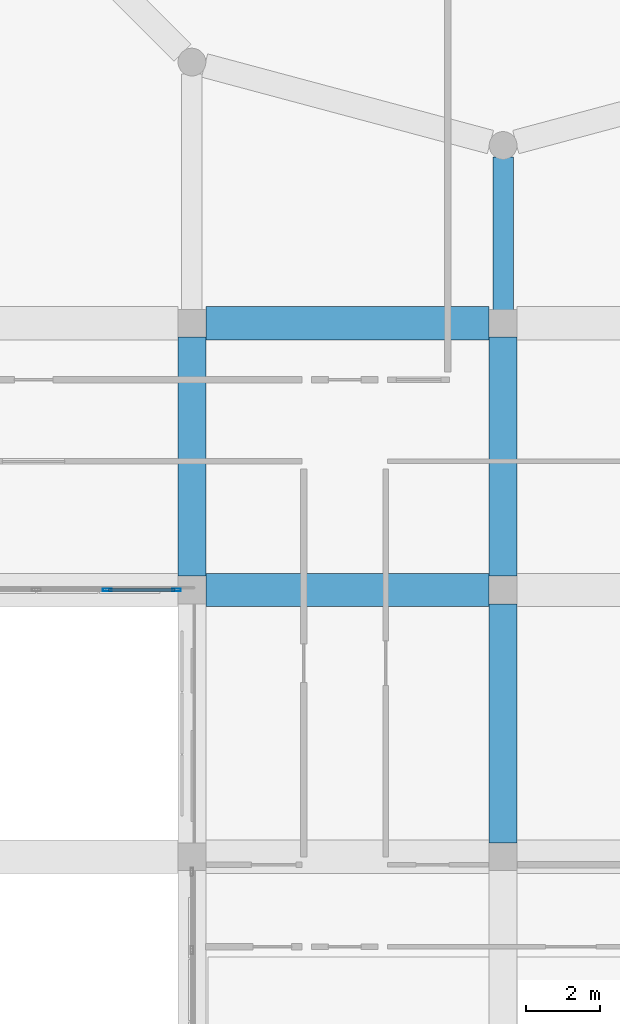
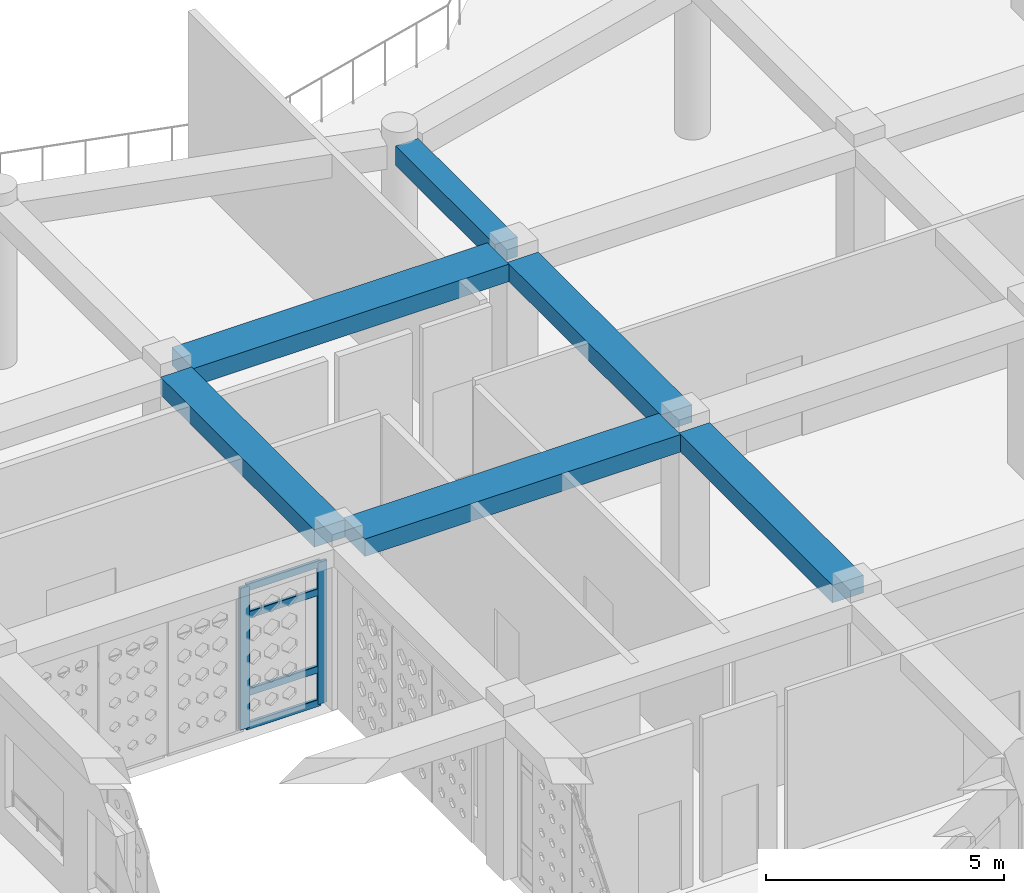
# One storey, part 18 of 111: 6 beams, 6 members, 1 element without a shape of its own.
"""IFC4 building model written with IfcOpenShell, lengths in metres."""

import ifcopenshell
import ifcopenshell.guid

model = None  # the IFC model being written
_history = None  # IfcOwnerHistory: only IFC2X3 demands one
_inside = {}  # id of a spatial element -> (the spatial element, [elements in it])
_under = {}  # id of a project, library or spatial element -> (it, [spatial elements below it])
_declared = {}  # id of a project -> (the project, [libraries it declares])
_typed = {}  # id of a type object -> (the type object, [elements of that type])
_made_of = {}  # id of a material, layer set ... -> (it, [elements and type objects made of it])


def new_model(schema):
    """Start an empty IFC model of exactly this schema.

    Asked for "IFC4X3", IfcOpenShell would pick the latest addendum, in which some entities
    have other attributes; the version numbers below select the first issue.
    IFC2X3 requires an IfcOwnerHistory on every rooted entity: one is made here for all.
    """
    global model, _history
    if schema == "IFC4X3":
        model = ifcopenshell.file(schema_version=(4, 3, 0, 0))
    else:
        model = ifcopenshell.file(schema=schema)
    _inside.clear()
    _under.clear()
    _declared.clear()
    _typed.clear()
    _made_of.clear()
    _history = None
    if model.schema == "IFC2X3":
        org = make("IfcOrganization", Name="unknown")
        user = make(
            "IfcPersonAndOrganization",
            ThePerson=make("IfcPerson", FamilyName="unknown"),
            TheOrganization=org,
        )
        app = make(
            "IfcApplication",
            ApplicationDeveloper=org,
            Version="unknown",
            ApplicationFullName="unknown",
            ApplicationIdentifier="unknown",
        )
        _history = make(
            "IfcOwnerHistory",
            OwningUser=user,
            OwningApplication=app,
            ChangeAction="ADDED",
            CreationDate=0,
        )
    return model


def make(cls, **values):
    """One entity of the class cls with the attributes given. An attribute that is None is left unset."""
    return model.create_entity(
        cls, **{name: value for name, value in values.items() if value is not None}
    )


def rooted(cls, **values):
    """An entity with a GlobalId (a new one), such as an element, a storey or a relation."""
    return make(cls, GlobalId=ifcopenshell.guid.new(), OwnerHistory=_history, **values)


def si_unit(unit_type, name, prefix=None):
    """IfcSIUnit, for example si_unit("LENGTHUNIT", "METRE", prefix="MILLI")."""
    return make("IfcSIUnit", UnitType=unit_type, Prefix=prefix, Name=name)


def derived_unit(unit_type, elements):
    """IfcDerivedUnit: a product of units, each with its exponent."""
    return make(
        "IfcDerivedUnit",
        Elements=[
            make("IfcDerivedUnitElement", Unit=unit, Exponent=power)
            for unit, power in elements
        ],
        UnitType=unit_type,
    )


def assignment(units):
    """IfcUnitAssignment: the units of a project."""
    return None if units is None else make("IfcUnitAssignment", Units=units)


def point(xyz):
    """IfcCartesianPoint."""
    return None if xyz is None else make("IfcCartesianPoint", Coordinates=xyz)


def direction(xyz):
    """IfcDirection."""
    return None if xyz is None else make("IfcDirection", DirectionRatios=xyz)


def frame(location, z_axis=None, x_axis=None):
    """IfcAxis2Placement3D, a coordinate frame: its origin and axes. An axis left out is left unset."""
    return make(
        "IfcAxis2Placement3D",
        Location=point(location),
        Axis=direction(z_axis),
        RefDirection=direction(x_axis),
    )


def frame_2d(location, x_axis=None):
    """IfcAxis2Placement2D, a coordinate frame in the plane: its origin and x axis."""
    return make(
        "IfcAxis2Placement2D", Location=point(location), RefDirection=direction(x_axis)
    )


def origin():
    """The frame at (0, 0, 0) with its axes left unset."""
    return frame((0.0, 0.0, 0.0))


def origin_2d():
    """The frame at (0, 0) in the plane with its x axis left unset."""
    return frame_2d((0.0, 0.0))


def place(relative_to, where):
    """IfcLocalPlacement: puts the frame where relative to a parent placement (None: the world)."""
    return make(
        "IfcLocalPlacement", PlacementRelTo=relative_to, RelativePlacement=where
    )


def context(
    kind, dimensions, precision=None, world=None, true_north=None, identifier=None
):
    """IfcGeometricRepresentationContext, for example the 3D "Model" context."""
    return make(
        "IfcGeometricRepresentationContext",
        ContextIdentifier=identifier,
        ContextType=kind,
        CoordinateSpaceDimension=dimensions,
        Precision=precision,
        WorldCoordinateSystem=world,
        TrueNorth=true_north,
    )


def subcontext(parent, identifier, kind, view, scale=None):
    """IfcGeometricRepresentationSubContext, for example "Body" below "Model"."""
    return make(
        "IfcGeometricRepresentationSubContext",
        ContextIdentifier=identifier,
        ContextType=kind,
        ParentContext=parent,
        TargetScale=scale,
        TargetView=view,
    )


def project(units=None, contexts=None):
    """IfcProject with its units and contexts."""
    return rooted(
        "IfcProject",
        Name="project",
        RepresentationContexts=contexts,
        UnitsInContext=assignment(units),
    )


def spatial(cls, under=None, at=None, **own):
    """A site, building, storey or space (cls), placed at a placement, below another one or the project."""
    s = rooted(cls, ObjectPlacement=at, **own)
    if under is not None:
        _under.setdefault(under.id(), (under, []))[1].append(s)
    return s


def profile(cls, at=None, kind="AREA", **sizes):
    """A parametric profile (cls). Its sizes go by their IFC names, for example OverallWidth=200.0."""
    return make(cls, ProfileType=kind, Position=at, **sizes)


def rectangle(**sizes):
    """IfcRectangleProfileDef."""
    return profile("IfcRectangleProfileDef", **sizes)


def hollow_rectangle(**sizes):
    """IfcRectangleHollowProfileDef."""
    return profile("IfcRectangleHollowProfileDef", **sizes)


def extrude(swept, where, along, depth):
    """IfcExtrudedAreaSolid: the profile swept, set in the frame where, extruded along a direction by depth."""
    return make(
        "IfcExtrudedAreaSolid",
        SweptArea=swept,
        Position=where,
        ExtrudedDirection=direction(along),
        Depth=depth,
    )


def shape(context_of_items, identifier, shape_type, items):
    """IfcShapeRepresentation: the items that make up one representation, for example the "Body"."""
    return make(
        "IfcShapeRepresentation",
        ContextOfItems=context_of_items,
        RepresentationIdentifier=identifier,
        RepresentationType=shape_type,
        Items=items,
    )


def material(Name=None, Category=None):
    """IfcMaterial."""
    return make("IfcMaterial", Name=Name, Category=Category)


def material_profile(
    of_material, cross_section, Name=None, Category=None, Priority=None
):
    """IfcMaterialProfile: a cross section and its material."""
    return make(
        "IfcMaterialProfile",
        Name=Name,
        Material=of_material,
        Profile=cross_section,
        Priority=Priority,
        Category=Category,
    )


def profile_set(profiles, Name=None, composite=None):
    """IfcMaterialProfileSet."""
    return make(
        "IfcMaterialProfileSet",
        Name=Name,
        MaterialProfiles=profiles,
        CompositeProfile=composite,
    )


def made_of(thing, what):
    """Note that an element or type object is made of a material, layer set ...; save() writes the relation."""
    if what is not None:
        _made_of.setdefault(what.id(), (what, []))[1].append(thing)
    return thing


def type_object(cls, material=None, **own):
    """A type object (cls), such as IfcWallType, which elements share."""
    return made_of(rooted(cls, **own), material)


def element(
    cls,
    number,
    at=None,
    inside=None,
    cuts=None,
    type_object=None,
    material=None,
    context=None,
    identifier="Body",
    shape_type=None,
    held_by="IfcProductDefinitionShape",
    body=None,
    shapes=None,
    **own,
):
    """One element of the class cls, such as IfcWall. Its Tag is "e" and its number.

    at: its placement. inside: the storey or other place that contains it. cuts: it is an
    opening in that element (IfcRelVoidsElement). A single representation is given by context,
    identifier, shape_type and body (its items); several are given by shapes. held_by: the class
    of the entity that holds the representations. save() writes the other relations.
    """
    e = rooted(cls, Tag="e%d" % number, ObjectPlacement=at, **own)
    if body is not None:
        shapes = [shape(context, identifier, shape_type, body)]
    if shapes is not None:
        e.Representation = make(held_by, Representations=shapes)
    if inside is not None:
        _inside.setdefault(inside.id(), (inside, []))[1].append(e)
    if cuts is not None:
        rooted(
            "IfcRelVoidsElement", RelatingBuildingElement=cuts, RelatedOpeningElement=e
        )
    if type_object is not None:
        _typed.setdefault(type_object.id(), (type_object, []))[1].append(e)
    return made_of(e, material)


def aggregate(whole, parts):
    """IfcRelAggregates: a whole, such as a stair, and the parts it consists of."""
    return rooted("IfcRelAggregates", RelatingObject=whole, RelatedObjects=parts)


def save(model, path):
    """Write the relations noted so far, then the file.

    IfcRelAggregates (storeys below a building ...), IfcRelContainedInSpatialStructure (elements
    in a storey), IfcRelDefinesByType, IfcRelAssociatesMaterial and IfcRelDeclares: one each for
    every whole, place, type object, material and project.
    """
    for whole, parts in _under.values():
        aggregate(whole, parts)
    for where, things in _inside.values():
        rooted(
            "IfcRelContainedInSpatialStructure",
            RelatedElements=things,
            RelatingStructure=where,
        )
    for kind, things in _typed.values():
        rooted("IfcRelDefinesByType", RelatedObjects=things, RelatingType=kind)
    for what, things in _made_of.values():
        rooted("IfcRelAssociatesMaterial", RelatedObjects=things, RelatingMaterial=what)
    for by, libraries in _declared.values():
        rooted("IfcRelDeclares", RelatingContext=by, RelatedDefinitions=libraries)
    model.write(path)


model = new_model("IFC4")

# Units and contexts
model_context = context("Model", 3, precision=1e-05, world=origin(), true_north=direction((0.0, 1.0)))
body_context = subcontext(model_context, "Body", "Model", "MODEL_VIEW")
ifc_project = project(units=[si_unit("LENGTHUNIT", "METRE"), si_unit("AREAUNIT", "SQUARE_METRE"), si_unit("VOLUMEUNIT", "CUBIC_METRE"), si_unit("PLANEANGLEUNIT", "RADIAN"), si_unit("MASSUNIT", "GRAM", prefix="KILO"), derived_unit("THERMALTRANSMITTANCEUNIT", [(si_unit("POWERUNIT", "WATT"), 1), (si_unit("LENGTHUNIT", "METRE"), -2), (si_unit("THERMODYNAMICTEMPERATUREUNIT", "KELVIN"), -1)])], contexts=[model_context])

# Site, building, storey
site_placement = place(None, origin())
site = spatial("IfcSite", under=ifc_project, at=site_placement, CompositionType="ELEMENT")
building_placement = place(site_placement, origin())
building = spatial("IfcBuilding", under=site, at=building_placement, Name="Veybourne Emporium", CompositionType="ELEMENT")
storey_placement = place(building_placement, frame((0.0, 0.0, 9.89990234375)))
storey = spatial("IfcBuildingStorey", under=building, at=storey_placement, Name="L02", CompositionType="ELEMENT", Elevation=9.89990234375)

# Curtain wall, members
ifc_material_1 = material(Name="Patinated Architectural Bronze", Category="bronze")
curtain_wall_type = type_object("IfcCurtainWallType", Name="CWSystem_CWS-15", PredefinedType="NOTDEFINED", material=ifc_material_1)
curtain_wall_placement = place(storey_placement, origin())
curtain_wall = element("IfcCurtainWall", 1, at=curtain_wall_placement, inside=storey, type_object=curtain_wall_type, Name="L02 bronze glazed curtain wall CWS-15 (033)", PredefinedType="NOTDEFINED")
ifc_material_profile_1 = material_profile(ifc_material_1, hollow_rectangle(XDim=0.077880859375, YDim=0.235107421875, WallThickness=0.0048828125, InnerFilletRadius=0.007568359375, OuterFilletRadius=0.012451171875, at=origin_2d()), Name="CWM 78x235x5")
ifc_profile_set_1 = profile_set([ifc_material_profile_1], Name="Patinated Architectural Bronze")
member_type_1 = type_object("IfcMemberType", Name="CWMullion_CW-M3", PredefinedType="MULLION", material=ifc_profile_set_1)
member_1_placement = place(storey_placement, frame((66.785888671875, 21.60009765625, 0.0), z_axis=(0.0, 0.0, 1.0), x_axis=(0.0, -1.0, 0.0)))
member_1 = element("IfcMember", 2, at=member_1_placement, type_object=member_type_1, Name="CWS-15 mullion 1", PredefinedType="MULLION", context=body_context, shape_type="SweptSolid", body=[
    extrude(hollow_rectangle(XDim=0.077880859375, YDim=0.235107421875, WallThickness=0.0048828125, InnerFilletRadius=0.007568359375, OuterFilletRadius=0.012451171875, at=origin_2d()), origin(), (0.0, 0.0, 1.0), 3.630126953125),
])
member_2_placement = place(storey_placement, frame((64.91259765625, 21.60009765625, 0.0), z_axis=(0.0, 0.0, 1.0), x_axis=(0.0, -1.0, 0.0)))
member_2 = element("IfcMember", 3, at=member_2_placement, type_object=member_type_1, Name="CWS-15 mullion 2", PredefinedType="MULLION", context=body_context, shape_type="SweptSolid", body=[
    extrude(hollow_rectangle(XDim=0.077880859375, YDim=0.235107421875, WallThickness=0.0048828125, InnerFilletRadius=0.007568359375, OuterFilletRadius=0.012451171875, at=origin_2d()), origin(), (0.0, 0.0, 1.0), 3.630126953125),
])
ifc_material_profile_2 = material_profile(ifc_material_1, hollow_rectangle(XDim=0.077880859375, YDim=0.18505859375, WallThickness=0.0048828125, InnerFilletRadius=0.007568359375, OuterFilletRadius=0.012451171875, at=origin_2d()), Name="CWT 78x185x5")
ifc_profile_set_2 = profile_set([ifc_material_profile_2], Name="Patinated Architectural Bronze")
member_type_2 = type_object("IfcMemberType", Name="CWTransom_CW-T3", PredefinedType="NOTDEFINED", material=ifc_profile_set_2)
member_3_placement = place(storey_placement, frame((66.7470703125, 21.60009765625, 0.0390625), z_axis=(-1.0, 0.0, 0.0), x_axis=(0.0, -1.0, 0.0)))
member_3 = element("IfcMember", 4, at=member_3_placement, type_object=member_type_2, Name="CWS-15 transom 1.1", ObjectType="TRANSOM", PredefinedType="USERDEFINED", context=body_context, shape_type="SweptSolid", body=[
    extrude(hollow_rectangle(XDim=0.077880859375, YDim=0.18505859375, WallThickness=0.0048828125, InnerFilletRadius=0.007568359375, OuterFilletRadius=0.012451171875, at=origin_2d()), origin(), (0.0, 0.0, 1.0), 1.795654296875),
])
member_4_placement = place(storey_placement, frame((66.7470703125, 21.60009765625, 0.900146484375), z_axis=(-1.0, 0.0, 0.0), x_axis=(0.0, -1.0, 0.0)))
member_4 = element("IfcMember", 5, at=member_4_placement, type_object=member_type_2, Name="CWS-15 transom 1.2", ObjectType="TRANSOM", PredefinedType="USERDEFINED", context=body_context, shape_type="SweptSolid", body=[
    extrude(hollow_rectangle(XDim=0.077880859375, YDim=0.18505859375, WallThickness=0.0048828125, InnerFilletRadius=0.007568359375, OuterFilletRadius=0.012451171875, at=origin_2d()), origin(), (0.0, 0.0, 1.0), 1.795654296875),
])
member_5_placement = place(storey_placement, frame((66.7470703125, 21.60009765625, 2.880126953125), z_axis=(-1.0, 0.0, 0.0), x_axis=(0.0, -1.0, 0.0)))
member_5 = element("IfcMember", 6, at=member_5_placement, type_object=member_type_2, Name="CWS-15 transom 1.3", ObjectType="TRANSOM", PredefinedType="USERDEFINED", context=body_context, shape_type="SweptSolid", body=[
    extrude(hollow_rectangle(XDim=0.077880859375, YDim=0.18505859375, WallThickness=0.0048828125, InnerFilletRadius=0.007568359375, OuterFilletRadius=0.012451171875, at=origin_2d()), origin(), (0.0, 0.0, 1.0), 1.795654296875),
])
member_6_placement = place(storey_placement, frame((66.7470703125, 21.60009765625, 3.591064453125), z_axis=(-1.0, 0.0, 0.0), x_axis=(0.0, -1.0, 0.0)))
member_6 = element("IfcMember", 7, at=member_6_placement, type_object=member_type_2, Name="CWS-15 transom 1.4", ObjectType="TRANSOM", PredefinedType="USERDEFINED", context=body_context, shape_type="SweptSolid", body=[
    extrude(hollow_rectangle(XDim=0.077880859375, YDim=0.18505859375, WallThickness=0.0048828125, InnerFilletRadius=0.007568359375, OuterFilletRadius=0.012451171875, at=origin_2d()), origin(), (0.0, 0.0, 1.0), 1.795654296875),
])
aggregate(curtain_wall, [member_1, member_2, member_3, member_4, member_5, member_6])

# Beams
ifc_material_2 = material(Name="Concrete C32/40", Category="concrete")
ifc_material_profile_3 = material_profile(ifc_material_2, rectangle(XDim=0.89990234375, YDim=0.449951171875, at=origin_2d()), Name="RC 900x450")
ifc_profile_set_3 = profile_set([ifc_material_profile_3], Name="Concrete C32/40")
beam_type_1 = type_object("IfcBeamType", Name="RCBeam_BB-03", PredefinedType="BEAM", material=ifc_profile_set_3)
for number, where, z_axis, x_axis, name in (
    (8, (67.574951171875, 21.60009765625, 3.955078125), (1.0, 0.0, 0.0), (0.0, 1.0, 0.0), "L02 X-grid beam BB-03 (8,3)"),
    (9, (67.574951171875, 28.800048828125, 3.955078125), (1.0, 0.0, 0.0), (0.0, 1.0, 0.0), "L02 X-grid beam BB-03 (8,4)"),
):
    element("IfcBeam", number, at=place(storey_placement, frame(where, z_axis=z_axis, x_axis=x_axis)), inside=storey, type_object=beam_type_1, Name=name, PredefinedType="BEAM", context=body_context, shape_type="SweptSolid", body=[
        extrude(rectangle(XDim=0.89990234375, YDim=0.449951171875, at=origin_2d()), origin(), (0.0, 0.0, 1.0), 7.650146484375),
    ])
ifc_material_profile_4 = material_profile(ifc_material_2, rectangle(XDim=0.75, YDim=0.449951171875, at=origin_2d()), Name="RC 750x450")
ifc_profile_set_4 = profile_set([ifc_material_profile_4], Name="Concrete C32/40")
beam_type_2 = type_object("IfcBeamType", Name="RCBeam_BB-04", PredefinedType="BEAM", material=ifc_profile_set_4)
beam_1_placement = place(storey_placement, frame((67.199951171875, 21.97509765625, 3.955078125), z_axis=(0.0, 1.0, 0.0), x_axis=(-1.0, 0.0, 0.0)))
element("IfcBeam", 10, at=beam_1_placement, inside=storey, type_object=beam_type_2, Name="L02 Y-grid beam BB-04 (8,3)", PredefinedType="BEAM", context=body_context, shape_type="SweptSolid", body=[
    extrude(rectangle(XDim=0.75, YDim=0.449951171875, at=origin_2d()), origin(), (0.0, 0.0, 1.0), 6.449951171875),
])
beam_2_placement = place(storey_placement, frame((75.60009765625, 14.77490234375, 3.955078125), z_axis=(0.0, 1.0, 0.0), x_axis=(-1.0, 0.0, 0.0)))
element("IfcBeam", 11, at=beam_2_placement, inside=storey, type_object=beam_type_2, Name="L02 Y-grid beam BB-04 (9,2)", PredefinedType="BEAM", context=body_context, shape_type="SweptSolid", body=[
    extrude(rectangle(XDim=0.75, YDim=0.449951171875, at=origin_2d()), origin(), (0.0, 0.0, 1.0), 6.4501953125),
])
beam_3_placement = place(storey_placement, frame((75.60009765625, 21.97509765625, 3.955078125), z_axis=(0.0, 1.0, 0.0), x_axis=(-1.0, 0.0, 0.0)))
element("IfcBeam", 12, at=beam_3_placement, inside=storey, type_object=beam_type_2, Name="L02 Y-grid beam BB-04 (9,3)", PredefinedType="BEAM", context=body_context, shape_type="SweptSolid", body=[
    extrude(rectangle(XDim=0.75, YDim=0.449951171875, at=origin_2d()), origin(), (0.0, 0.0, 1.0), 6.449951171875),
])
ifc_material_profile_5 = material_profile(ifc_material_2, rectangle(XDim=0.550048828125, YDim=0.5, at=origin_2d()), Name="RC 550x500")
ifc_profile_set_5 = profile_set([ifc_material_profile_5], Name="Concrete C32/40")
beam_type_3 = type_object("IfcBeamType", Name="RCBeam_TB-01", PredefinedType="BEAM", material=ifc_profile_set_5)
beam_4_placement = place(storey_placement, frame((75.60009765625, 33.284912109375, 3.93017578125), z_axis=(0.0, -1.0, 0.0), x_axis=(1.0, 0.0, 0.0)))
element("IfcBeam", 13, at=beam_4_placement, inside=storey, type_object=beam_type_3, Name="Atrium radial tie beam L02-10", PredefinedType="BEAM", context=body_context, shape_type="SweptSolid", body=[
    extrude(rectangle(XDim=0.550048828125, YDim=0.5, at=origin_2d()), origin(), (0.0, 0.0, 1.0), 4.169921875),
])

save(model, "model.ifc")
